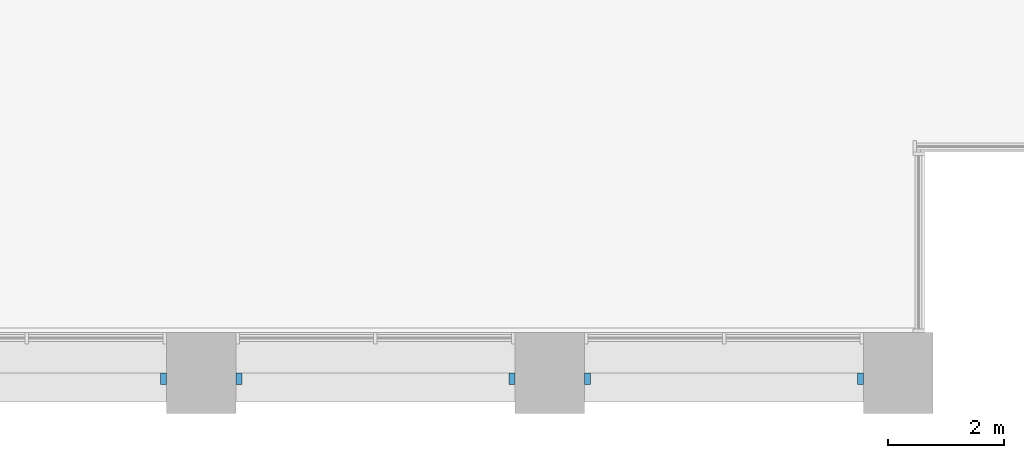
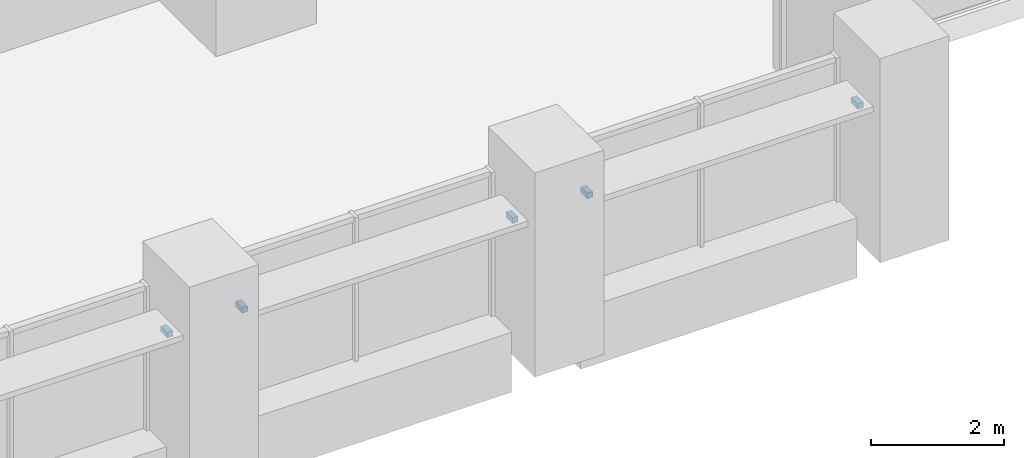
# One storey, part 16 of 18: 5 discrete accessories.
"""IFC4 building model written with IfcOpenShell, lengths in metres."""

import ifcopenshell
import ifcopenshell.guid

model = None  # the IFC model being written
_history = None  # IfcOwnerHistory: only IFC2X3 demands one
_inside = {}  # id of a spatial element -> (the spatial element, [elements in it])
_under = {}  # id of a project, library or spatial element -> (it, [spatial elements below it])
_declared = {}  # id of a project -> (the project, [libraries it declares])
_typed = {}  # id of a type object -> (the type object, [elements of that type])
_made_of = {}  # id of a material, layer set ... -> (it, [elements and type objects made of it])


def new_model(schema):
    """Start an empty IFC model of exactly this schema.

    Asked for "IFC4X3", IfcOpenShell would pick the latest addendum, in which some entities
    have other attributes; the version numbers below select the first issue.
    IFC2X3 requires an IfcOwnerHistory on every rooted entity: one is made here for all.
    """
    global model, _history
    if schema == "IFC4X3":
        model = ifcopenshell.file(schema_version=(4, 3, 0, 0))
    else:
        model = ifcopenshell.file(schema=schema)
    _inside.clear()
    _under.clear()
    _declared.clear()
    _typed.clear()
    _made_of.clear()
    _history = None
    if model.schema == "IFC2X3":
        org = make("IfcOrganization", Name="unknown")
        user = make(
            "IfcPersonAndOrganization",
            ThePerson=make("IfcPerson", FamilyName="unknown"),
            TheOrganization=org,
        )
        app = make(
            "IfcApplication",
            ApplicationDeveloper=org,
            Version="unknown",
            ApplicationFullName="unknown",
            ApplicationIdentifier="unknown",
        )
        _history = make(
            "IfcOwnerHistory",
            OwningUser=user,
            OwningApplication=app,
            ChangeAction="ADDED",
            CreationDate=0,
        )
    return model


def make(cls, **values):
    """One entity of the class cls with the attributes given. An attribute that is None is left unset."""
    return model.create_entity(
        cls, **{name: value for name, value in values.items() if value is not None}
    )


def rooted(cls, **values):
    """An entity with a GlobalId (a new one), such as an element, a storey or a relation."""
    return make(cls, GlobalId=ifcopenshell.guid.new(), OwnerHistory=_history, **values)


def si_unit(unit_type, name, prefix=None):
    """IfcSIUnit, for example si_unit("LENGTHUNIT", "METRE", prefix="MILLI")."""
    return make("IfcSIUnit", UnitType=unit_type, Prefix=prefix, Name=name)


def assignment(units):
    """IfcUnitAssignment: the units of a project."""
    return None if units is None else make("IfcUnitAssignment", Units=units)


def point(xyz):
    """IfcCartesianPoint."""
    return None if xyz is None else make("IfcCartesianPoint", Coordinates=xyz)


def direction(xyz):
    """IfcDirection."""
    return None if xyz is None else make("IfcDirection", DirectionRatios=xyz)


def frame(location, z_axis=None, x_axis=None):
    """IfcAxis2Placement3D, a coordinate frame: its origin and axes. An axis left out is left unset."""
    return make(
        "IfcAxis2Placement3D",
        Location=point(location),
        Axis=direction(z_axis),
        RefDirection=direction(x_axis),
    )


def frame_2d(location, x_axis=None):
    """IfcAxis2Placement2D, a coordinate frame in the plane: its origin and x axis."""
    return make(
        "IfcAxis2Placement2D", Location=point(location), RefDirection=direction(x_axis)
    )


def origin():
    """The frame at (0, 0, 0) with its axes left unset."""
    return frame((0.0, 0.0, 0.0))


def origin_2d():
    """The frame at (0, 0) in the plane with its x axis left unset."""
    return frame_2d((0.0, 0.0))


def place(relative_to, where):
    """IfcLocalPlacement: puts the frame where relative to a parent placement (None: the world)."""
    return make(
        "IfcLocalPlacement", PlacementRelTo=relative_to, RelativePlacement=where
    )


def context(
    kind, dimensions, precision=None, world=None, true_north=None, identifier=None
):
    """IfcGeometricRepresentationContext, for example the 3D "Model" context."""
    return make(
        "IfcGeometricRepresentationContext",
        ContextIdentifier=identifier,
        ContextType=kind,
        CoordinateSpaceDimension=dimensions,
        Precision=precision,
        WorldCoordinateSystem=world,
        TrueNorth=true_north,
    )


def subcontext(parent, identifier, kind, view, scale=None):
    """IfcGeometricRepresentationSubContext, for example "Body" below "Model"."""
    return make(
        "IfcGeometricRepresentationSubContext",
        ContextIdentifier=identifier,
        ContextType=kind,
        ParentContext=parent,
        TargetScale=scale,
        TargetView=view,
    )


def project(units=None, contexts=None):
    """IfcProject with its units and contexts."""
    return rooted(
        "IfcProject",
        Name="project",
        RepresentationContexts=contexts,
        UnitsInContext=assignment(units),
    )


def spatial(cls, under=None, at=None, **own):
    """A site, building, storey or space (cls), placed at a placement, below another one or the project."""
    s = rooted(cls, ObjectPlacement=at, **own)
    if under is not None:
        _under.setdefault(under.id(), (under, []))[1].append(s)
    return s


def profile(cls, at=None, kind="AREA", **sizes):
    """A parametric profile (cls). Its sizes go by their IFC names, for example OverallWidth=200.0."""
    return make(cls, ProfileType=kind, Position=at, **sizes)


def rectangle(**sizes):
    """IfcRectangleProfileDef."""
    return profile("IfcRectangleProfileDef", **sizes)


def extrude(swept, where, along, depth):
    """IfcExtrudedAreaSolid: the profile swept, set in the frame where, extruded along a direction by depth."""
    return make(
        "IfcExtrudedAreaSolid",
        SweptArea=swept,
        Position=where,
        ExtrudedDirection=direction(along),
        Depth=depth,
    )


def shape(context_of_items, identifier, shape_type, items):
    """IfcShapeRepresentation: the items that make up one representation, for example the "Body"."""
    return make(
        "IfcShapeRepresentation",
        ContextOfItems=context_of_items,
        RepresentationIdentifier=identifier,
        RepresentationType=shape_type,
        Items=items,
    )


def made_of(thing, what):
    """Note that an element or type object is made of a material, layer set ...; save() writes the relation."""
    if what is not None:
        _made_of.setdefault(what.id(), (what, []))[1].append(thing)
    return thing


def element(
    cls,
    number,
    at=None,
    inside=None,
    cuts=None,
    type_object=None,
    material=None,
    context=None,
    identifier="Body",
    shape_type=None,
    held_by="IfcProductDefinitionShape",
    body=None,
    shapes=None,
    **own,
):
    """One element of the class cls, such as IfcWall. Its Tag is "e" and its number.

    at: its placement. inside: the storey or other place that contains it. cuts: it is an
    opening in that element (IfcRelVoidsElement). A single representation is given by context,
    identifier, shape_type and body (its items); several are given by shapes. held_by: the class
    of the entity that holds the representations. save() writes the other relations.
    """
    e = rooted(cls, Tag="e%d" % number, ObjectPlacement=at, **own)
    if body is not None:
        shapes = [shape(context, identifier, shape_type, body)]
    if shapes is not None:
        e.Representation = make(held_by, Representations=shapes)
    if inside is not None:
        _inside.setdefault(inside.id(), (inside, []))[1].append(e)
    if cuts is not None:
        rooted(
            "IfcRelVoidsElement", RelatingBuildingElement=cuts, RelatedOpeningElement=e
        )
    if type_object is not None:
        _typed.setdefault(type_object.id(), (type_object, []))[1].append(e)
    return made_of(e, material)


def aggregate(whole, parts):
    """IfcRelAggregates: a whole, such as a stair, and the parts it consists of."""
    return rooted("IfcRelAggregates", RelatingObject=whole, RelatedObjects=parts)


def save(model, path):
    """Write the relations noted so far, then the file.

    IfcRelAggregates (storeys below a building ...), IfcRelContainedInSpatialStructure (elements
    in a storey), IfcRelDefinesByType, IfcRelAssociatesMaterial and IfcRelDeclares: one each for
    every whole, place, type object, material and project.
    """
    for whole, parts in _under.values():
        aggregate(whole, parts)
    for where, things in _inside.values():
        rooted(
            "IfcRelContainedInSpatialStructure",
            RelatedElements=things,
            RelatingStructure=where,
        )
    for kind, things in _typed.values():
        rooted("IfcRelDefinesByType", RelatedObjects=things, RelatingType=kind)
    for what, things in _made_of.values():
        rooted("IfcRelAssociatesMaterial", RelatedObjects=things, RelatingMaterial=what)
    for by, libraries in _declared.values():
        rooted("IfcRelDeclares", RelatingContext=by, RelatedDefinitions=libraries)
    model.write(path)


model = new_model("IFC4")

# Units and contexts
model_context = context("Model", 3, precision=1e-05, world=origin(), true_north=direction((0.0, 1.0)))
body_context = subcontext(model_context, "Body", "Model", "MODEL_VIEW")
ifc_project = project(units=[si_unit("LENGTHUNIT", "METRE"), si_unit("AREAUNIT", "SQUARE_METRE"), si_unit("VOLUMEUNIT", "CUBIC_METRE"), si_unit("PLANEANGLEUNIT", "RADIAN"), si_unit("MASSUNIT", "GRAM", prefix="KILO")], contexts=[model_context])

# Site, building, storey
site_placement = place(None, origin())
site = spatial("IfcSite", under=ifc_project, at=site_placement, CompositionType="ELEMENT")
building_placement = place(site_placement, origin())
building = spatial("IfcBuilding", under=site, at=building_placement, Name="Calvaro Tower", CompositionType="ELEMENT")
storey_placement = place(building_placement, frame((0.0, 0.0, 37.5)))
storey = spatial("IfcBuildingStorey", under=building, at=storey_placement, Name="L08", CompositionType="ELEMENT", Elevation=37.5)

# Discrete accessories
for number, where, z_axis, x_axis, name in (
    (1, (59.35009765625, 0.60009765625, 2.14990234375), (0.0, 0.0, 1.0), (1.0, 0.0, 0.0), "Brise-soleil bracket"),
    (2, (60.64990234375, 0.60009765625, 2.14990234375), (0.0, 0.0, 1.0), (1.0, 0.0, 0.0), "Brise-soleil bracket"),
    (3, (65.35009765625, 0.60009765625, 2.14990234375), (0.0, 0.0, 1.0), (1.0, 0.0, 0.0), "Brise-soleil bracket"),
    (4, (66.64990234375, 0.60009765625, 2.14990234375), (0.0, 0.0, 1.0), (1.0, 0.0, 0.0), "Brise-soleil bracket"),
    (5, (71.35009765625, 0.60009765625, 2.14990234375), (0.0, 0.0, 1.0), (1.0, 0.0, 0.0), "Brise-soleil bracket"),
):
    element("IfcDiscreteAccessory", number, at=place(storey_placement, frame(where, z_axis=z_axis, x_axis=x_axis)), inside=storey, Name=name, PredefinedType="BRACKET", context=body_context, shape_type="SweptSolid", body=[
        extrude(rectangle(XDim=0.10009765625, YDim=0.199951171875, at=origin_2d()), origin(), (0.0, 0.0, 1.0), 0.10009765625),
    ])

save(model, "model.ifc")
